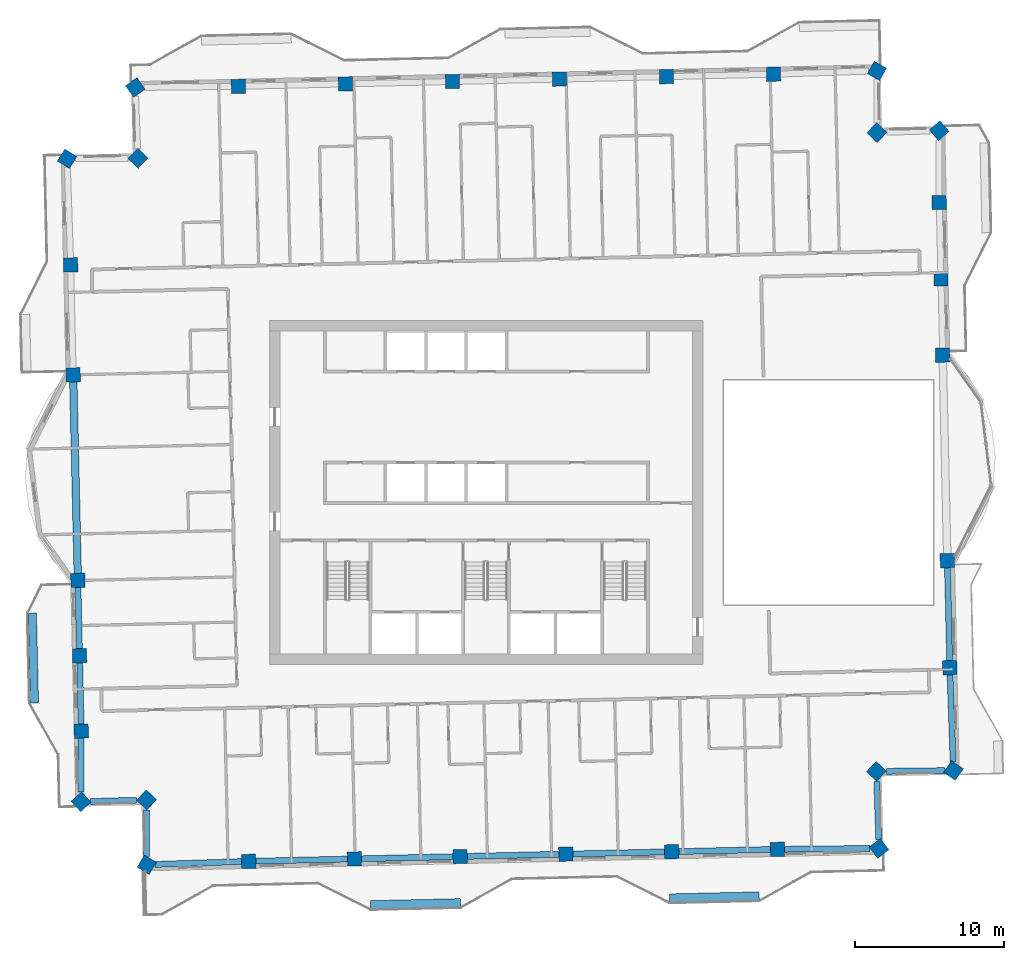
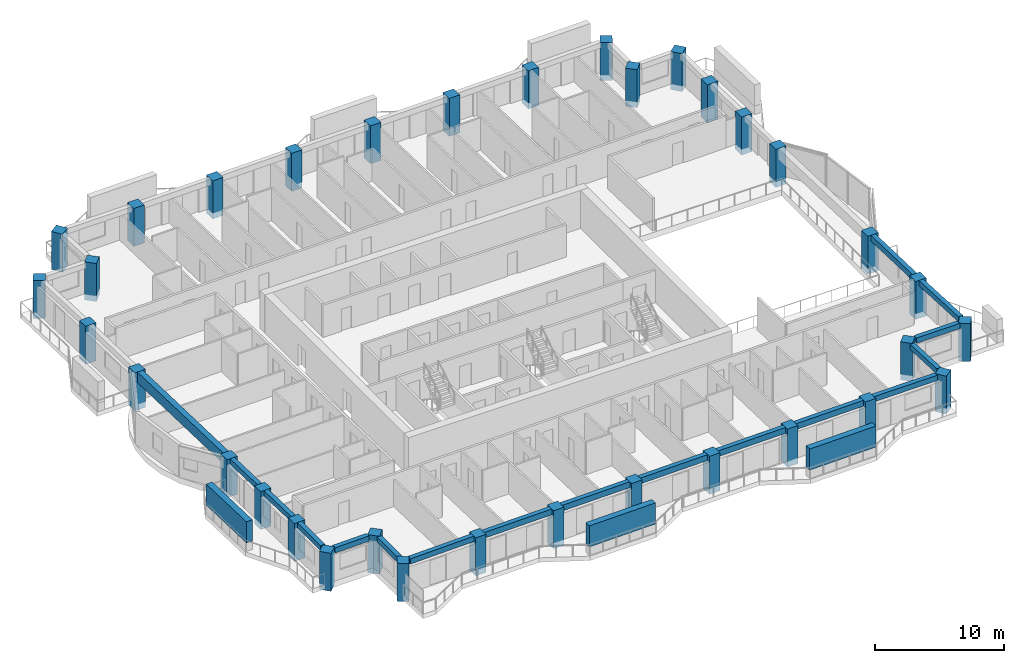
# One storey, part 1 of 20: 34 columns, 17 beams, 3 members.
"""IFC4 building model written with IfcOpenShell, lengths in metres."""

from ifc_helpers import new_model, si_unit, direction, frame, origin, origin_2d, place, context, subcontext, project, spatial, rectangle, extrude, material, material_profile, profile_set, type_object, element, save


model = new_model("IFC4")

# Units and contexts
model_context = context("Model", 3, precision=1e-05, world=origin(), true_north=direction((0.0, 1.0)))
body_context = subcontext(model_context, "Body", "Model", "MODEL_VIEW")
ifc_project = project(units=[si_unit("LENGTHUNIT", "METRE"), si_unit("AREAUNIT", "SQUARE_METRE"), si_unit("VOLUMEUNIT", "CUBIC_METRE"), si_unit("PLANEANGLEUNIT", "RADIAN"), si_unit("MASSUNIT", "GRAM", prefix="KILO")], contexts=[model_context])

# Site, building, storey
site_placement = place(None, origin())
site = spatial("IfcSite", under=ifc_project, at=site_placement, CompositionType="ELEMENT")
building_placement = place(site_placement, origin())
building = spatial("IfcBuilding", under=site, at=building_placement, Name="Mangrove Gate Tower", CompositionType="ELEMENT")
storey_placement = place(building_placement, frame((0.0, 0.0, 279.89990234375)))
storey = spatial("IfcBuildingStorey", under=building, at=storey_placement, Name="L71", CompositionType="ELEMENT", Elevation=279.89990234375)

# Columns
ifc_material_1 = material(Name="Concrete C50/60", Category="concrete")
ifc_material_profile_1 = material_profile(ifc_material_1, rectangle(XDim=0.949951171875, YDim=0.949951171875, at=origin_2d()))
ifc_profile_set_1 = profile_set([ifc_material_profile_1], Name="Concrete C50/60")
column_type = type_object("IfcColumnType", Name="Column RC 950x950 C50/60", PredefinedType="COLUMN", material=ifc_profile_set_1)
for number, where, z_axis, x_axis, name in (
    (1, (-27.3291015625, -5.88330078125, -0.5498046875), (0.0, 0.0, 1.0), (0.022668227132, -0.999743042726, 0.0), "Column L71 W05"),
    (2, (-27.215087890625, -10.92431640625, -0.5498046875), (0.0, 0.0, 1.0), (0.022611029903, -0.999744337982, 0.0), "Column L71 W06"),
    (3, (-27.10107421875, -15.964111328125, -0.5498046875), (0.0, 0.0, 1.0), (0.022712390043, -0.999742040398, 0.0), "Column L71 W07"),
    (4, (-27.1103515625, -20.694580078125, -0.5498046875), (0.0, 0.0, 1.0), (0.674559871236, -0.738220143398, 0.0), "Column L71 W08"),
    (5, (-22.73388671875, -20.571533203125, -0.5498046875), (0.0, 0.0, 1.0), (0.722917548782, -0.690934307777, 0.0), "Column L71 W09"),
    (6, (-22.721435546875, -24.905029296875, -0.5498046875), (0.0, 0.0, 1.0), (0.860936080736, -0.508713145974, 0.0), "Column L71 S01"),
    (7, (-15.898681640625, -24.67919921875, -0.5498046875), (0.0, 0.0, 1.0), (0.999742783124, 0.022679673549, 0.0), "Column L71 S02"),
    (8, (-8.82373046875, -24.51806640625, -0.5498046875), (0.0, 0.0, 1.0), (0.999742783124, 0.022679673549, 0.0), "Column L71 S03"),
    (9, (-1.748779296875, -24.358154296875, -0.5498046875), (0.0, 0.0, 1.0), (0.999742746705, 0.022681278839, 0.0), "Column L71 S04"),
    (10, (5.3251953125, -24.197021484375, -0.5498046875), (0.0, 0.0, 1.0), (0.999741142154, 0.022751894086, 0.0), "Column L71 S05"),
    (11, (12.400146484375, -24.0361328125, -0.5498046875), (0.0, 0.0, 1.0), (0.999742783124, 0.022679673549, 0.0), "Column L71 S06"),
    (12, (19.475341796875, -23.876220703125, -0.5498046875), (0.0, 0.0, 1.0), (0.999742783124, 0.022679673549, 0.0), "Column L71 S07"),
    (13, (26.271240234375, -23.813720703125, -0.5498046875), (0.0, 0.0, 1.0), (0.792213187663, 0.610244430775, 0.0), "Column L71 S08"),
    (14, (26.099609375, -18.663818359375, -0.5498046875), (0.0, 0.0, 1.0), (0.690876732885, 0.722972572065, 0.0), "Column L71 E01"),
    (15, (31.25048828125, -18.603759765625, -0.5498046875), (0.0, 0.0, 1.0), (0.568957327632, 0.8223670466, 0.0), "Column L71 E02"),
    (16, (31.004150390625, -11.723876953125, -0.5498046875), (0.0, 0.0, 1.0), (-0.02268810132, 0.9997425919, 0.0), "Column L71 E03"),
    (17, (30.841064453125, -4.563720703125, -0.5498046875), (0.0, 0.0, 1.0), (-0.022713803395, 0.999742008288, 0.0), "Column L71 E04"),
    (18, (30.529052734375, 9.183349609375, -0.5498046875), (0.0, 0.0, 1.0), (-0.022641914322, 0.999743638997, 0.0), "Column L71 E05"),
    (19, (30.4140625, 14.290283203125, -0.5498046875), (0.0, 0.0, 1.0), (-0.022610227257, 0.999744356135, 0.0), "Column L71 E06"),
    (20, (30.298095703125, 19.397216796875, -0.5498046875), (0.0, 0.0, 1.0), (-0.022708062743, 0.999742138697, 0.0), "Column L71 E07"),
    (21, (30.297119140625, 24.205078125, -0.5498046875), (0.0, 0.0, 1.0), (-0.652445951575, 0.757835259323, 0.0), "Column L71 E08"),
    (22, (26.1298828125, 24.07666015625, -0.5498046875), (0.0, 0.0, 1.0), (-0.722919671176, 0.69093208713, 0.0), "Column L71 E09"),
    (23, (26.132080078125, 28.203857421875, -0.5498046875), (0.0, 0.0, 1.0), (-0.873907193452, 0.486092807222, 0.0), "Column L71 N01"),
    (24, (19.212890625, 27.981201171875, -0.5498046875), (0.0, 0.0, 1.0), (-0.9997425919, -0.02268810132, 0.0), "Column L71 N02"),
    (25, (12.052734375, 27.819091796875, -0.5498046875), (0.0, 0.0, 1.0), (-0.9997425919, -0.02268810132, 0.0), "Column L71 N03"),
    (26, (4.891845703125, 27.656005859375, -0.5498046875), (0.0, 0.0, 1.0), (-0.9997425919, -0.02268810132, 0.0), "Column L71 N04"),
    (27, (-2.268310546875, 27.494140625, -0.5498046875), (0.0, 0.0, 1.0), (-0.9997425919, -0.02268810132, 0.0), "Column L71 N05"),
    (28, (-9.42919921875, 27.3310546875, -0.5498046875), (0.0, 0.0, 1.0), (-0.9997425919, -0.02268810132, 0.0), "Column L71 N06"),
    (29, (-16.589111328125, 27.169189453125, -0.5498046875), (0.0, 0.0, 1.0), (-0.9997425919, -0.02268810132, 0.0), "Column L71 N07"),
    (30, (-23.48779296875, 27.092529296875, -0.5498046875), (0.0, 0.0, 1.0), (-0.81788929658, -0.575375615176, 0.0), "Column L71 N08"),
    (31, (-23.30859375, 22.354736328125, -0.5498046875), (0.0, 0.0, 1.0), (-0.690864619266, -0.722984147714, 0.0), "Column L71 W01"),
    (32, (-28.04638671875, 22.32373046875, -0.5498046875), (0.0, 0.0, 1.0), (-0.526906799816, -0.849923069641, 0.0), "Column L71 W02"),
    (33, (-27.80810546875, 15.223876953125, -0.5498046875), (0.0, 0.0, 1.0), (0.022682831782, -0.999742711472, 0.0), "Column L71 W03"),
    (34, (-27.64111328125, 7.86376953125, -0.5498046875), (0.0, 0.0, 1.0), (0.022688048974, -0.999742593088, 0.0), "Column L71 W04"),
):
    element("IfcColumn", number, at=place(storey_placement, frame(where, z_axis=z_axis, x_axis=x_axis)), inside=storey, type_object=column_type, Name=name, PredefinedType="COLUMN", context=body_context, shape_type="SweptSolid", body=[
        extrude(rectangle(XDim=0.949951171875, YDim=0.949951171875, at=origin_2d()), origin(), (0.0, 0.0, 1.0), 3.599853515625),
    ])

# Members
ifc_material_2 = material(Name="Planting on aluminium trellis", Category="aluminium")
ifc_material_profile_2 = material_profile(ifc_material_2, rectangle(XDim=0.550048828125, YDim=2.0, at=origin_2d()))
ifc_profile_set_2 = profile_set([ifc_material_profile_2], Name="Planting on aluminium trellis")
member_type = type_object("IfcMemberType", Name="Balcony greenery screen 550x2000", PredefinedType="USERDEFINED", material=ifc_profile_set_2)
for number, where, z_axis, x_axis, name in (
    (35, (-30.23388671875, -14.076904296875, 1.800048828125), (-0.022865581321, 0.999738548417, 0.0), (-0.999738548417, -0.022865581321, 0.0), "GREEN SCREEN L71 W1.1"),
    (36, (-7.739013671875, -27.583984375, 1.800048828125), (0.999743178102, 0.022662255828, 0.0), (-0.022662255828, 0.999743178102, 0.0), "GREEN SCREEN L71 S0.1"),
):
    element("IfcMember", number, at=place(storey_placement, frame(where, z_axis=z_axis, x_axis=x_axis)), inside=storey, type_object=member_type, Name=name, ObjectType="PLANTING", PredefinedType="USERDEFINED", context=body_context, shape_type="SweptSolid", body=[
        extrude(rectangle(XDim=0.550048828125, YDim=2.0, at=origin_2d()), origin(), (0.0, 0.0, 1.0), 6.00048828125),
    ])
member_placement = place(storey_placement, frame((12.256103515625, -27.131103515625, 1.800048828125), z_axis=(0.999743073592, 0.022666865795, 0.0), x_axis=(-0.022666865795, 0.999743073592, 0.0)))
element("IfcMember", 37, at=member_placement, inside=storey, type_object=member_type, Name="GREEN SCREEN L71 S1.1", ObjectType="PLANTING", PredefinedType="USERDEFINED", context=body_context, shape_type="SweptSolid", body=[
    extrude(rectangle(XDim=0.550048828125, YDim=2.0, at=origin_2d()), origin(), (0.0, 0.0, 1.0), 5.999267578125),
])

# Beams
ifc_material_3 = material(Name="Concrete C50/60", Category="concrete")
ifc_material_profile_3 = material_profile(ifc_material_3, rectangle(XDim=0.39990234375, YDim=0.5, at=origin_2d()))
ifc_profile_set_3 = profile_set([ifc_material_profile_3], Name="Concrete C50/60")
beam_type_1 = type_object("IfcBeamType", Name="Edge beam RC 400x500 C50/60", PredefinedType="BEAM", material=ifc_profile_set_3)
beam_1_placement = place(storey_placement, frame((-27.318359375, -6.358154296875, 2.800048828125), z_axis=(0.022610282283, -0.99974435489, 0.0), x_axis=(0.99974435489, 0.022610282283, 0.0)))
element("IfcBeam", 38, at=beam_1_placement, inside=storey, type_object=beam_type_1, Name="Edge beam L71 00", PredefinedType="BEAM", context=body_context, shape_type="SweptSolid", body=[
    extrude(rectangle(XDim=0.39990234375, YDim=0.5, at=origin_2d()), origin(), (0.0, 0.0, 1.0), 4.09228515625),
])
beam_2_placement = place(storey_placement, frame((-27.204345703125, -11.399169921875, 2.800048828125), z_axis=(0.022617026961, -0.999744202329, 0.0), x_axis=(0.999744202329, 0.022617026961, 0.0)))
element("IfcBeam", 39, at=beam_2_placement, inside=storey, type_object=beam_type_1, Name="Edge beam L71 01", PredefinedType="BEAM", context=body_context, shape_type="SweptSolid", body=[
    extrude(rectangle(XDim=0.39990234375, YDim=0.5, at=origin_2d()), origin(), (0.0, 0.0, 1.0), 4.091064453125),
])
beam_3_placement = place(storey_placement, frame((-27.10205078125, -16.439453125, 2.800048828125), z_axis=(-0.001960913128, -0.999998077408, 0.0), x_axis=(0.999998077408, -0.001960913128, 0.0)))
element("IfcBeam", 40, at=beam_3_placement, inside=storey, type_object=beam_type_1, Name="Edge beam L71 02", PredefinedType="BEAM", context=body_context, shape_type="SweptSolid", body=[
    extrude(rectangle(XDim=0.39990234375, YDim=0.5, at=origin_2d()), origin(), (0.0, 0.0, 1.0), 3.610595703125),
])
beam_4_placement = place(storey_placement, frame((-26.48291015625, -20.677001953125, 2.800048828125), z_axis=(0.999604650157, 0.028116603344, 0.0), x_axis=(-0.028116603344, 0.999604650157, 0.0)))
element("IfcBeam", 41, at=beam_4_placement, inside=storey, type_object=beam_type_1, Name="Edge beam L71 03", PredefinedType="BEAM", context=body_context, shape_type="SweptSolid", body=[
    extrude(rectangle(XDim=0.39990234375, YDim=0.5, at=origin_2d()), origin(), (0.0, 0.0, 1.0), 3.08251953125),
])
beam_5_placement = place(storey_placement, frame((-22.73193359375, -21.23046875, 2.800048828125), z_axis=(0.002893551662, -0.999995813671, 0.0), x_axis=(0.999995813671, 0.002893551662, 0.0)))
element("IfcBeam", 42, at=beam_5_placement, inside=storey, type_object=beam_type_1, Name="Edge beam L71 04", PredefinedType="BEAM", context=body_context, shape_type="SweptSolid", body=[
    extrude(rectangle(XDim=0.39990234375, YDim=0.5, at=origin_2d()), origin(), (0.0, 0.0, 1.0), 3.121826171875),
])
beam_6_placement = place(storey_placement, frame((-22.15869140625, -24.886474609375, 2.800048828125), z_axis=(0.999451720574, 0.033109790709, 0.0), x_axis=(-0.033109790709, 0.999451720574, 0.0)))
element("IfcBeam", 43, at=beam_6_placement, inside=storey, type_object=beam_type_1, Name="Edge beam L71 05", PredefinedType="BEAM", context=body_context, shape_type="SweptSolid", body=[
    extrude(rectangle(XDim=0.39990234375, YDim=0.5, at=origin_2d()), origin(), (0.0, 0.0, 1.0), 5.788330078125),
])
beam_7_placement = place(storey_placement, frame((19.9501953125, -23.871826171875, 2.800048828125), z_axis=(0.999957587868, 0.009209911265, 0.0), x_axis=(-0.009209911265, 0.999957587868, 0.0)))
element("IfcBeam", 44, at=beam_7_placement, inside=storey, type_object=beam_type_1, Name="Edge beam L71 11", PredefinedType="BEAM", context=body_context, shape_type="SweptSolid", body=[
    extrude(rectangle(XDim=0.39990234375, YDim=0.5, at=origin_2d()), origin(), (0.0, 0.0, 1.0), 5.725830078125),
])
beam_8_placement = place(storey_placement, frame((26.251708984375, -23.22900390625, 2.800048828125), z_axis=(-0.033277341028, 0.999446155915, 0.0), x_axis=(-0.999446155915, -0.033277341028, 0.0)))
element("IfcBeam", 45, at=beam_8_placement, inside=storey, type_object=beam_type_1, Name="Edge beam L71 12", PredefinedType="BEAM", context=body_context, shape_type="SweptSolid", body=[
    extrude(rectangle(XDim=0.39990234375, YDim=0.5, at=origin_2d()), origin(), (0.0, 0.0, 1.0), 3.903076171875),
])
beam_9_placement = place(storey_placement, frame((26.763916015625, -18.656005859375, 2.800048828125), z_axis=(0.99993236047, 0.011630755991, 0.0), x_axis=(-0.011630755991, 0.99993236047, 0.0)))
element("IfcBeam", 46, at=beam_9_placement, inside=storey, type_object=beam_type_1, Name="Edge beam L71 13", PredefinedType="BEAM", context=body_context, shape_type="SweptSolid", body=[
    extrude(rectangle(XDim=0.39990234375, YDim=0.5, at=origin_2d()), origin(), (0.0, 0.0, 1.0), 3.904296875),
])
beam_10_placement = place(storey_placement, frame((31.229248046875, -18.011474609375, 2.800048828125), z_axis=(-0.035802315604, 0.999358891589, 0.0), x_axis=(-0.999358891589, -0.035802315604, 0.0)))
element("IfcBeam", 47, at=beam_10_placement, inside=storey, type_object=beam_type_1, Name="Edge beam L71 14", PredefinedType="BEAM", context=body_context, shape_type="SweptSolid", body=[
    extrude(rectangle(XDim=0.39990234375, YDim=0.5, at=origin_2d()), origin(), (0.0, 0.0, 1.0), 5.816650390625),
])
ifc_material_4 = material(Name="Concrete C50/60", Category="concrete")
ifc_material_profile_4 = material_profile(ifc_material_4, rectangle(XDim=0.39990234375, YDim=0.550048828125, at=origin_2d()))
ifc_profile_set_4 = profile_set([ifc_material_profile_4], Name="Concrete C50/60")
beam_type_2 = type_object("IfcBeamType", Name="Edge beam RC 400x550 C50/60", PredefinedType="BEAM", material=ifc_profile_set_4)
for number, where, z_axis, x_axis, name in (
    (48, (-15.423828125, -24.668212890625, 2.775146484375), (0.999741115026, 0.022753086081, 0.0), (-0.022753086081, 0.999741115026, 0.0), "Edge beam L71 06"),
    (49, (-8.348876953125, -24.50732421875, 2.775146484375), (0.999744728048, 0.022593776587, 0.0), (-0.022593776587, 0.999744728048, 0.0), "Edge beam L71 07"),
):
    element("IfcBeam", number, at=place(storey_placement, frame(where, z_axis=z_axis, x_axis=x_axis)), inside=storey, type_object=beam_type_2, Name=name, PredefinedType="BEAM", context=body_context, shape_type="SweptSolid", body=[
        extrude(rectangle(XDim=0.39990234375, YDim=0.550048828125, at=origin_2d()), origin(), (0.0, 0.0, 1.0), 6.126708984375),
    ])
beam_11_placement = place(storey_placement, frame((-1.27392578125, -24.347412109375, 2.775146484375), z_axis=(0.999741032489, 0.02275671236, 0.0), x_axis=(-0.02275671236, 0.999741032489, 0.0)))
element("IfcBeam", 50, at=beam_11_placement, inside=storey, type_object=beam_type_2, Name="Edge beam L71 08", PredefinedType="BEAM", context=body_context, shape_type="SweptSolid", body=[
    extrude(rectangle(XDim=0.39990234375, YDim=0.550048828125, at=origin_2d()), origin(), (0.0, 0.0, 1.0), 6.125732421875),
])
for number, where, z_axis, x_axis, name in (
    (51, (5.800048828125, -24.186279296875, 2.775146484375), (0.999741115026, 0.022753086081, 0.0), (-0.022753086081, 0.999741115026, 0.0), "Edge beam L71 09"),
    (52, (12.875, -24.025390625, 2.775146484375), (0.999744728048, 0.022593776587, 0.0), (-0.022593776587, 0.999744728048, 0.0), "Edge beam L71 10"),
):
    element("IfcBeam", number, at=place(storey_placement, frame(where, z_axis=z_axis, x_axis=x_axis)), inside=storey, type_object=beam_type_2, Name=name, PredefinedType="BEAM", context=body_context, shape_type="SweptSolid", body=[
        extrude(rectangle(XDim=0.39990234375, YDim=0.550048828125, at=origin_2d()), origin(), (0.0, 0.0, 1.0), 6.126708984375),
    ])
beam_12_placement = place(storey_placement, frame((30.993408203125, -11.248779296875, 2.775146484375), z_axis=(-0.022756223778, 0.99974104361, 0.0), x_axis=(-0.99974104361, -0.022756223778, 0.0)))
element("IfcBeam", 53, at=beam_12_placement, inside=storey, type_object=beam_type_2, Name="Edge beam L71 15", PredefinedType="BEAM", context=body_context, shape_type="SweptSolid", body=[
    extrude(rectangle(XDim=0.39990234375, YDim=0.550048828125, at=origin_2d()), origin(), (0.0, 0.0, 1.0), 6.2119140625),
])
ifc_material_5 = material(Name="Concrete C50/60", Category="concrete")
ifc_material_profile_5 = material_profile(ifc_material_5, rectangle(XDim=0.5, YDim=1.0, at=origin_2d()))
ifc_profile_set_5 = profile_set([ifc_material_profile_5], Name="Concrete C50/60")
beam_type_3 = type_object("IfcBeamType", Name="Edge beam RC 500x1000 C50/60", PredefinedType="BEAM", material=ifc_profile_set_5)
beam_13_placement = place(storey_placement, frame((-27.63037109375, 7.388916015625, 2.550048828125), z_axis=(0.0226962773, -0.999742406321, 0.0), x_axis=(0.999742406321, 0.0226962773, 0.0)))
element("IfcBeam", 54, at=beam_13_placement, inside=storey, type_object=beam_type_3, Name="Edge beam L71 33", PredefinedType="BEAM", context=body_context, shape_type="SweptSolid", body=[
    extrude(rectangle(XDim=0.5, YDim=1.0, at=origin_2d()), origin(), (0.0, 0.0, 1.0), 12.80078125),
])

save(model, "model.ifc")
